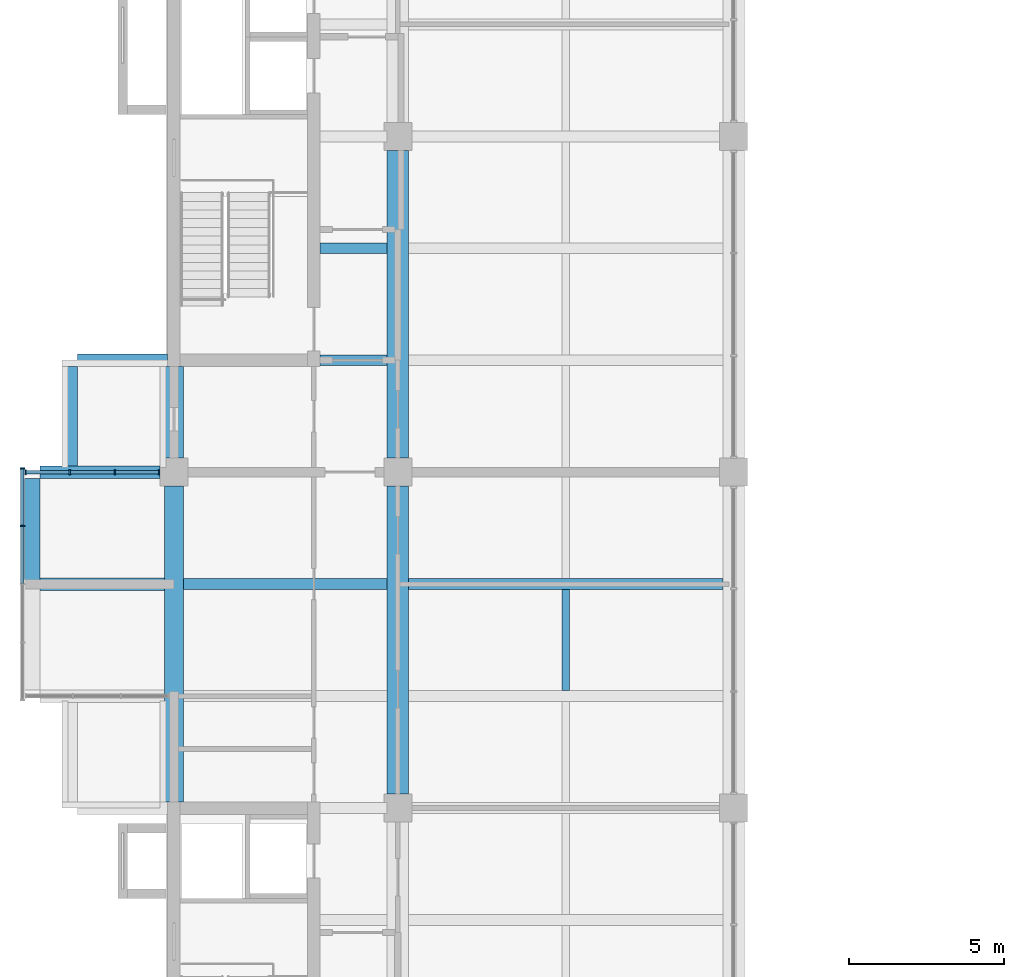
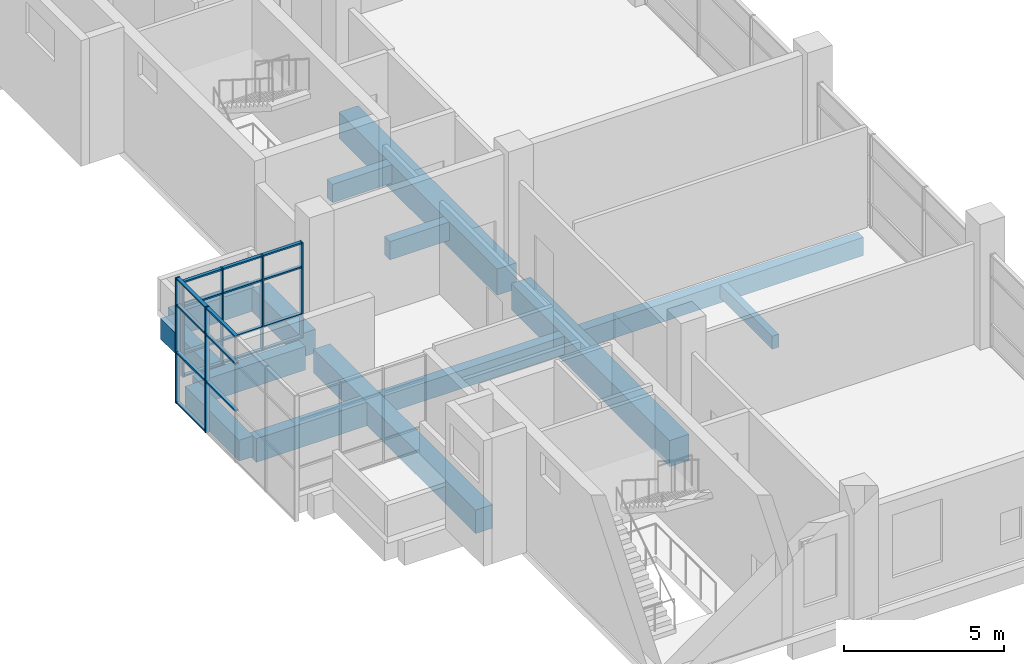
# One storey, part 3 of 22: 25 members, 14 beams, 2 elements without a shape of their own.
"""IFC4 building model written with IfcOpenShell, lengths in metres."""

from ifc_helpers import new_model, si_unit, direction, frame, origin, origin_2d, place, context, subcontext, project, spatial, rectangle, extrude, material, layer, layer_set, material_profile, profile_set, type_object, element, aggregate, save


model = new_model("IFC4")

# Units and contexts
model_context = context("Model", 3, precision=1e-05, world=origin(), true_north=direction((0.0, 1.0)))
body_context = subcontext(model_context, "Body", "Model", "MODEL_VIEW")
ifc_project = project(units=[si_unit("LENGTHUNIT", "METRE"), si_unit("AREAUNIT", "SQUARE_METRE"), si_unit("VOLUMEUNIT", "CUBIC_METRE"), si_unit("PLANEANGLEUNIT", "RADIAN"), si_unit("MASSUNIT", "GRAM", prefix="KILO")], contexts=[model_context])

# Site, building, storey
site_placement = place(None, origin())
site = spatial("IfcSite", under=ifc_project, at=site_placement, CompositionType="ELEMENT")
building_placement = place(site_placement, origin())
building = spatial("IfcBuilding", under=site, at=building_placement, Name="Basin Gate Institute", CompositionType="ELEMENT")
storey_placement = place(building_placement, frame((0.0, 0.0, 51.0)))
storey = spatial("IfcBuildingStorey", under=building, at=storey_placement, Name="L10", CompositionType="ELEMENT", Elevation=51.0)

# Beams
ifc_material_1 = material(Name="Concrete 40 MPa", Category="concrete")
ifc_material_profile_1 = material_profile(ifc_material_1, rectangle(XDim=0.35009765625, YDim=0.699951171875, at=origin_2d()), Name="Beam B1 350 x 700")
ifc_profile_set_1 = profile_set([ifc_material_profile_1], Name="Concrete 40 MPa")
beam_type_1 = type_object("IfcBeamType", Name="Beam B1 R120", PredefinedType="BEAM", material=ifc_profile_set_1)
beam_1_placement = place(storey_placement, frame((68.75, 53.10009765625, -0.60009765625), z_axis=(1.0, 0.0, 0.0), x_axis=(0.0, 1.0, 0.0)))
element("IfcBeam", 1, at=beam_1_placement, inside=storey, type_object=beam_type_1, material=ifc_profile_set_1, Name="BEAM/L10/W/EW/06", PredefinedType="BEAM", context=body_context, shape_type="SweptSolid", body=[
    extrude(rectangle(XDim=0.35009765625, YDim=0.699951171875, at=origin_2d()), origin(), (0.0, 0.0, 1.0), 10.10009765625),
])
beam_2_placement = place(storey_placement, frame((61.5, 53.10009765625, -0.60009765625), z_axis=(1.0, 0.0, 0.0), x_axis=(0.0, 1.0, 0.0)))
element("IfcBeam", 2, at=beam_2_placement, inside=storey, type_object=beam_type_1, material=ifc_profile_set_1, Name="BEAM/L10/W/OUT/06", PredefinedType="BEAM", context=body_context, shape_type="SweptSolid", body=[
    extrude(rectangle(XDim=0.35009765625, YDim=0.699951171875, at=origin_2d()), origin(), (0.0, 0.0, 1.0), 6.550048828125),
])
for number, where, z_axis, x_axis, name in (
    (3, (65.89990234375, 60.300048828125, -0.60009765625), (1.0, 0.0, 0.0), (0.0, 1.0, 0.0), "BEAM/L10/W/CORR/08"),
    (4, (65.89990234375, 63.89990234375, -0.60009765625), (1.0, 0.0, 0.0), (0.0, 1.0, 0.0), "BEAM/L10/W/CORR/09"),
):
    element("IfcBeam", number, at=place(storey_placement, frame(where, z_axis=z_axis, x_axis=x_axis)), inside=storey, type_object=beam_type_1, material=ifc_profile_set_1, Name=name, PredefinedType="BEAM", context=body_context, shape_type="SweptSolid", body=[
        extrude(rectangle(XDim=0.35009765625, YDim=0.699951171875, at=origin_2d()), origin(), (0.0, 0.0, 1.0), 2.150146484375),
    ])
ifc_material_2 = material(Name="Concrete 50 MPa", Category="concrete")
ifc_material_profile_2 = material_profile(ifc_material_2, rectangle(XDim=0.39990234375, YDim=0.89990234375, at=origin_2d()), Name="Cantilever beam B3 400 x 900")
ifc_profile_set_2 = profile_set([ifc_material_profile_2], Name="Concrete 50 MPa")
beam_type_2 = type_object("IfcBeamType", Name="Cantilever beam B3 R120", PredefinedType="BEAM", material=ifc_profile_set_2)
beam_3_placement = place(storey_placement, frame((56.89990234375, 53.10009765625, -0.699951171875), z_axis=(1.0, 0.0, 0.0), x_axis=(0.0, 1.0, 0.0)))
element("IfcBeam", 5, at=beam_3_placement, inside=storey, type_object=beam_type_2, material=ifc_profile_set_2, Name="BEAM/L10/W/CANT/06", PredefinedType="BEAM", context=body_context, shape_type="SweptSolid", body=[
    extrude(rectangle(XDim=0.39990234375, YDim=0.89990234375, at=origin_2d()), origin(), (0.0, 0.0, 1.0), 4.0),
])
beam_4_placement = place(storey_placement, frame((56.89990234375, 56.699951171875, -0.699951171875), z_axis=(1.0, 0.0, 0.0), x_axis=(0.0, 1.0, 0.0)))
element("IfcBeam", 6, at=beam_4_placement, inside=storey, type_object=beam_type_2, material=ifc_profile_set_2, Name="BEAM/L10/W/CANT/07", PredefinedType="BEAM", context=body_context, shape_type="SweptSolid", body=[
    extrude(rectangle(XDim=0.39990234375, YDim=0.89990234375, at=origin_2d()), origin(), (0.0, 0.0, 1.0), 3.85009765625),
])
beam_5_placement = place(storey_placement, frame((58.10009765625, 60.300048828125, -0.699951171875), z_axis=(1.0, 0.0, 0.0), x_axis=(0.0, 1.0, 0.0)))
element("IfcBeam", 7, at=beam_5_placement, inside=storey, type_object=beam_type_2, material=ifc_profile_set_2, Name="BEAM/L10/W/CANT/08", PredefinedType="BEAM", context=body_context, shape_type="SweptSolid", body=[
    extrude(rectangle(XDim=0.39990234375, YDim=0.89990234375, at=origin_2d()), origin(), (0.0, 0.0, 1.0), 2.89990234375),
])
ifc_material_3 = material(Name="Concrete 50 MPa", Category="concrete")
ifc_material_profile_3 = material_profile(ifc_material_3, rectangle(XDim=0.60009765625, YDim=0.89990234375, at=origin_2d()), Name="Edge beam EB1 600 x 900")
ifc_profile_set_3 = profile_set([ifc_material_profile_3], Name="Concrete 50 MPa")
beam_type_3 = type_object("IfcBeamType", Name="Edge beam EB1 R120", PredefinedType="SPANDREL", material=ifc_profile_set_3)
beam_6_placement = place(storey_placement, frame((61.199951171875, 46.10009765625, -0.699951171875), z_axis=(0.0, 1.0, 0.0), x_axis=(-1.0, 0.0, 0.0)))
element("IfcBeam", 8, at=beam_6_placement, inside=storey, type_object=beam_type_3, material=ifc_profile_set_3, Name="BEAM/L10/W/EDGE/1", PredefinedType="SPANDREL", context=body_context, shape_type="SweptSolid", body=[
    extrude(rectangle(XDim=0.60009765625, YDim=0.89990234375, at=origin_2d()), origin(), (0.0, 0.0, 1.0), 10.14990234375),
])
ifc_material_4 = material(Name="Concrete 50 MPa", Category="concrete")
ifc_material_profile_4 = material_profile(ifc_material_4, rectangle(XDim=0.60009765625, YDim=0.89990234375, at=origin_2d()), Name="Edge return beam EB3 600 x 900")
ifc_profile_set_4 = profile_set([ifc_material_profile_4], Name="Concrete 50 MPa")
beam_type_4 = type_object("IfcBeamType", Name="Edge return beam EB3 R120", PredefinedType="SPANDREL", material=ifc_profile_set_4)
beam_7_placement = place(storey_placement, frame((61.199951171875, 57.14990234375, -0.699951171875), z_axis=(0.0, 1.0, 0.0), x_axis=(-1.0, 0.0, 0.0)))
element("IfcBeam", 9, at=beam_7_placement, inside=storey, type_object=beam_type_4, material=ifc_profile_set_4, Name="BEAM/L10/W/EDGE/2", PredefinedType="SPANDREL", context=body_context, shape_type="SweptSolid", body=[
    extrude(rectangle(XDim=0.60009765625, YDim=0.89990234375, at=origin_2d()), origin(), (0.0, 0.0, 1.0), 2.9501953125),
])
ifc_material_5 = material(Name="Concrete 50 MPa", Category="concrete")
ifc_material_profile_5 = material_profile(ifc_material_5, rectangle(XDim=0.699951171875, YDim=1.0, at=origin_2d()), Name="Girder G1 700 x 1000")
ifc_profile_set_5 = profile_set([ifc_material_profile_5], Name="Concrete 50 MPa")
beam_type_5 = type_object("IfcBeamType", Name="Girder G1 R120", PredefinedType="BEAM", material=ifc_profile_set_5)
beam_8_placement = place(storey_placement, frame((68.39990234375, 46.35009765625, -0.75), z_axis=(0.0, 1.0, 0.0), x_axis=(-1.0, 0.0, 0.0)))
element("IfcBeam", 10, at=beam_8_placement, inside=storey, type_object=beam_type_5, material=ifc_profile_set_5, Name="GIR/L10/W5/2", PredefinedType="BEAM", context=body_context, shape_type="SweptSolid", body=[
    extrude(rectangle(XDim=0.699951171875, YDim=1.0, at=origin_2d()), origin(), (0.0, 0.0, 1.0), 9.89990234375),
])
beam_9_placement = place(storey_placement, frame((68.39990234375, 57.14990234375, -0.75), z_axis=(0.0, 1.0, 0.0), x_axis=(-1.0, 0.0, 0.0)))
element("IfcBeam", 11, at=beam_9_placement, inside=storey, type_object=beam_type_5, material=ifc_profile_set_5, Name="GIR/L10/W5/3", PredefinedType="BEAM", context=body_context, shape_type="SweptSolid", body=[
    extrude(rectangle(XDim=0.699951171875, YDim=1.0, at=origin_2d()), origin(), (0.0, 0.0, 1.0), 9.900146484375),
])

# Curtain wall, members
ifc_material_6 = material(Name="Aluminium-framed glazing", Category="aluminium")
ifc_layer = layer(ifc_material_6, 0.14990234375)
ifc_layer_set = layer_set([ifc_layer], Name="Capsule front curtain wall CW1")
curtain_wall_type = type_object("IfcCurtainWallType", Name="Capsule front curtain wall CW1", PredefinedType="NOTDEFINED", material=ifc_layer_set)
curtain_wall_1_placement = place(storey_placement, origin())
curtain_wall_1 = element("IfcCurtainWall", 12, at=curtain_wall_1_placement, inside=storey, type_object=curtain_wall_type, material=ifc_layer_set, Name="Capsule front curtain wall W wing capsule end L10 line 7", PredefinedType="NOTDEFINED")
ifc_material_7 = material(Name="Aluminium", Category="aluminium")
ifc_material_profile_6 = material_profile(ifc_material_7, rectangle(XDim=0.14990234375, YDim=0.050048828125, at=origin_2d()), Name="Mullion MU1 150 x 50")
ifc_profile_set_6 = profile_set([ifc_material_profile_6], Name="Aluminium")
member_type_1 = type_object("IfcMemberType", Name="Mullion MU1", PredefinedType="MULLION", material=ifc_profile_set_6)
member_1_placement = place(storey_placement, frame((56.425048828125, 56.699951171875, 0.0), z_axis=(0.0, 0.0, 1.0), x_axis=(0.0, 1.0, 0.0)))
member_1 = element("IfcMember", 13, at=member_1_placement, type_object=member_type_1, material=ifc_profile_set_6, Name="CW1 mullion 1", PredefinedType="MULLION", context=body_context, shape_type="SweptSolid", body=[
    extrude(rectangle(XDim=0.14990234375, YDim=0.050048828125, at=origin_2d()), origin(), (0.0, 0.0, 1.0), 3.64990234375),
])
member_2_placement = place(storey_placement, frame((57.85009765625, 56.699951171875, 0.0), z_axis=(0.0, 0.0, 1.0), x_axis=(0.0, 1.0, 0.0)))
member_2 = element("IfcMember", 14, at=member_2_placement, type_object=member_type_1, material=ifc_profile_set_6, Name="CW1 mullion 2", PredefinedType="MULLION", context=body_context, shape_type="SweptSolid", body=[
    extrude(rectangle(XDim=0.14990234375, YDim=0.050048828125, at=origin_2d()), origin(), (0.0, 0.0, 1.0), 3.64990234375),
])
member_3_placement = place(storey_placement, frame((59.300048828125, 56.699951171875, 0.0), z_axis=(0.0, 0.0, 1.0), x_axis=(0.0, 1.0, 0.0)))
member_3 = element("IfcMember", 15, at=member_3_placement, type_object=member_type_1, material=ifc_profile_set_6, Name="CW1 mullion 3", PredefinedType="MULLION", context=body_context, shape_type="SweptSolid", body=[
    extrude(rectangle(XDim=0.14990234375, YDim=0.050048828125, at=origin_2d()), origin(), (0.0, 0.0, 1.0), 3.64990234375),
])
member_4_placement = place(storey_placement, frame((60.72509765625, 56.699951171875, 0.0), z_axis=(0.0, 0.0, 1.0), x_axis=(0.0, 1.0, 0.0)))
member_4 = element("IfcMember", 16, at=member_4_placement, type_object=member_type_1, material=ifc_profile_set_6, Name="CW1 mullion 4", PredefinedType="MULLION", context=body_context, shape_type="SweptSolid", body=[
    extrude(rectangle(XDim=0.14990234375, YDim=0.050048828125, at=origin_2d()), origin(), (0.0, 0.0, 1.0), 3.64990234375),
])

curtain_wall_2_placement = place(storey_placement, origin())
curtain_wall_2 = element("IfcCurtainWall", 17, at=curtain_wall_2_placement, inside=storey, type_object=curtain_wall_type, material=ifc_layer_set, Name="Capsule front curtain wall W wing capsule 1 L10 front 2", PredefinedType="NOTDEFINED")
member_5_placement = place(storey_placement, frame((56.324951171875, 54.97509765625, -1.050048828125), z_axis=(0.0, 0.0, 1.0), x_axis=(-1.0, 0.0, 0.0)))
member_5 = element("IfcMember", 18, at=member_5_placement, type_object=member_type_1, material=ifc_profile_set_6, Name="CW1 mullion 4", PredefinedType="MULLION", context=body_context, shape_type="SweptSolid", body=[
    extrude(rectangle(XDim=0.14990234375, YDim=0.050048828125, at=origin_2d()), origin(), (0.0, 0.0, 1.0), 4.800048828125),
])
member_6_placement = place(storey_placement, frame((56.324951171875, 56.824951171875, -1.050048828125), z_axis=(0.0, 0.0, 1.0), x_axis=(-1.0, 0.0, 0.0)))
member_6 = element("IfcMember", 19, at=member_6_placement, type_object=member_type_1, material=ifc_profile_set_6, Name="CW1 mullion 5", PredefinedType="MULLION", context=body_context, shape_type="SweptSolid", body=[
    extrude(rectangle(XDim=0.14990234375, YDim=0.050048828125, at=origin_2d()), origin(), (0.0, 0.0, 1.0), 4.800048828125),
])

# Beams
ifc_material_8 = material(Name="Concrete 40 MPa", Category="concrete")
ifc_material_profile_7 = material_profile(ifc_material_8, rectangle(XDim=0.25, YDim=0.5, at=origin_2d()), Name="Rib R1 250 x 500")
ifc_profile_set_7 = profile_set([ifc_material_profile_7], Name="Concrete 40 MPa")
beam_type_6 = type_object("IfcBeamType", Name="Rib R1 R120", PredefinedType="JOIST", material=ifc_profile_set_7)
beam_10_placement = place(storey_placement, frame((73.800048828125, 49.675048828125, -0.5), z_axis=(0.0, 1.0, 0.0), x_axis=(-1.0, 0.0, 0.0)))
element("IfcBeam", 20, at=beam_10_placement, inside=storey, type_object=beam_type_6, material=ifc_profile_set_7, Name="BEAM/L10/W/RIB/05", PredefinedType="JOIST", context=body_context, shape_type="SweptSolid", body=[
    extrude(rectangle(XDim=0.25, YDim=0.5, at=origin_2d()), origin(), (0.0, 0.0, 1.0), 3.25),
])
ifc_material_9 = material(Name="Concrete 50 MPa", Category="concrete")
ifc_material_profile_8 = material_profile(ifc_material_9, rectangle(XDim=0.5, YDim=0.800048828125, at=origin_2d()), Name="Tip beam TB1 500 x 800")
ifc_profile_set_8 = profile_set([ifc_material_profile_8], Name="Concrete 50 MPa")
beam_type_7 = type_object("IfcBeamType", Name="Tip beam TB1 R120", PredefinedType="SPANDREL", material=ifc_profile_set_8)
beam_11_placement = place(storey_placement, frame((56.64990234375, 53.10009765625, -0.64990234375), z_axis=(0.0, 1.0, 0.0), x_axis=(-1.0, 0.0, 0.0)))
element("IfcBeam", 21, at=beam_11_placement, inside=storey, type_object=beam_type_7, material=ifc_profile_set_8, Name="BEAM/L10/W/TIP/3", PredefinedType="SPANDREL", context=body_context, shape_type="SweptSolid", body=[
    extrude(rectangle(XDim=0.5, YDim=0.800048828125, at=origin_2d()), origin(), (0.0, 0.0, 1.0), 3.39990234375),
])
beam_12_placement = place(storey_placement, frame((57.85009765625, 56.89990234375, -0.64990234375), z_axis=(0.0, 1.0, 0.0), x_axis=(-1.0, 0.0, 0.0)))
element("IfcBeam", 22, at=beam_12_placement, inside=storey, type_object=beam_type_7, material=ifc_profile_set_8, Name="BEAM/L10/W/TIP/4", PredefinedType="SPANDREL", context=body_context, shape_type="SweptSolid", body=[
    extrude(rectangle(XDim=0.5, YDim=0.800048828125, at=origin_2d()), origin(), (0.0, 0.0, 1.0), 3.2001953125),
])

# Member
ifc_material_10 = material(Name="Aluminium", Category="aluminium")
ifc_material_profile_9 = material_profile(ifc_material_10, rectangle(XDim=0.1201171875, YDim=0.06005859375, at=origin_2d()), Name="Transom TR1 120 x 60")
ifc_profile_set_9 = profile_set([ifc_material_profile_9], Name="Aluminium")
member_type_2 = type_object("IfcMemberType", Name="Transom TR1", PredefinedType="USERDEFINED", material=ifc_profile_set_9)
member_7_placement = place(storey_placement, frame((56.449951171875, 56.699951171875, 0.030029296875), z_axis=(1.0, 0.0, 0.0), x_axis=(0.0, 1.0, 0.0)))
member_7 = element("IfcMember", 23, at=member_7_placement, type_object=member_type_2, material=ifc_profile_set_9, Name="CW1 transom 1.1", ObjectType="TRANSOM", PredefinedType="USERDEFINED", context=body_context, shape_type="SweptSolid", body=[
    extrude(rectangle(XDim=0.1201171875, YDim=0.06005859375, at=origin_2d()), origin(), (0.0, 0.0, 1.0), 1.375),
])

member_8_placement = place(storey_placement, frame((56.449951171875, 56.699951171875, 0.89990234375), z_axis=(1.0, 0.0, 0.0), x_axis=(0.0, 1.0, 0.0)))
member_8 = element("IfcMember", 24, at=member_8_placement, type_object=member_type_2, material=ifc_profile_set_9, Name="CW1 transom 1.2", ObjectType="TRANSOM", PredefinedType="USERDEFINED", context=body_context, shape_type="SweptSolid", body=[
    extrude(rectangle(XDim=0.1201171875, YDim=0.06005859375, at=origin_2d()), origin(), (0.0, 0.0, 1.0), 1.375),
])

member_9_placement = place(storey_placement, frame((56.449951171875, 56.699951171875, 2.699951171875), z_axis=(1.0, 0.0, 0.0), x_axis=(0.0, 1.0, 0.0)))
member_9 = element("IfcMember", 25, at=member_9_placement, type_object=member_type_2, material=ifc_profile_set_9, Name="CW1 transom 1.3", ObjectType="TRANSOM", PredefinedType="USERDEFINED", context=body_context, shape_type="SweptSolid", body=[
    extrude(rectangle(XDim=0.1201171875, YDim=0.06005859375, at=origin_2d()), origin(), (0.0, 0.0, 1.0), 1.375),
])

member_10_placement = place(storey_placement, frame((56.449951171875, 56.699951171875, 3.6201171875), z_axis=(1.0, 0.0, 0.0), x_axis=(0.0, 1.0, 0.0)))
member_10 = element("IfcMember", 26, at=member_10_placement, type_object=member_type_2, material=ifc_profile_set_9, Name="CW1 transom 1.4", ObjectType="TRANSOM", PredefinedType="USERDEFINED", context=body_context, shape_type="SweptSolid", body=[
    extrude(rectangle(XDim=0.1201171875, YDim=0.06005859375, at=origin_2d()), origin(), (0.0, 0.0, 1.0), 1.375),
])

member_11_placement = place(storey_placement, frame((57.875, 56.699951171875, 0.030029296875), z_axis=(1.0, 0.0, 0.0), x_axis=(0.0, 1.0, 0.0)))
member_11 = element("IfcMember", 27, at=member_11_placement, type_object=member_type_2, material=ifc_profile_set_9, Name="CW1 transom 2.1", ObjectType="TRANSOM", PredefinedType="USERDEFINED", context=body_context, shape_type="SweptSolid", body=[
    extrude(rectangle(XDim=0.1201171875, YDim=0.06005859375, at=origin_2d()), origin(), (0.0, 0.0, 1.0), 1.39990234375),
])

member_12_placement = place(storey_placement, frame((57.875, 56.699951171875, 0.89990234375), z_axis=(1.0, 0.0, 0.0), x_axis=(0.0, 1.0, 0.0)))
member_12 = element("IfcMember", 28, at=member_12_placement, type_object=member_type_2, material=ifc_profile_set_9, Name="CW1 transom 2.2", ObjectType="TRANSOM", PredefinedType="USERDEFINED", context=body_context, shape_type="SweptSolid", body=[
    extrude(rectangle(XDim=0.1201171875, YDim=0.06005859375, at=origin_2d()), origin(), (0.0, 0.0, 1.0), 1.39990234375),
])

member_13_placement = place(storey_placement, frame((57.875, 56.699951171875, 2.699951171875), z_axis=(1.0, 0.0, 0.0), x_axis=(0.0, 1.0, 0.0)))
member_13 = element("IfcMember", 29, at=member_13_placement, type_object=member_type_2, material=ifc_profile_set_9, Name="CW1 transom 2.3", ObjectType="TRANSOM", PredefinedType="USERDEFINED", context=body_context, shape_type="SweptSolid", body=[
    extrude(rectangle(XDim=0.1201171875, YDim=0.06005859375, at=origin_2d()), origin(), (0.0, 0.0, 1.0), 1.39990234375),
])

member_14_placement = place(storey_placement, frame((57.875, 56.699951171875, 3.6201171875), z_axis=(1.0, 0.0, 0.0), x_axis=(0.0, 1.0, 0.0)))
member_14 = element("IfcMember", 30, at=member_14_placement, type_object=member_type_2, material=ifc_profile_set_9, Name="CW1 transom 2.4", ObjectType="TRANSOM", PredefinedType="USERDEFINED", context=body_context, shape_type="SweptSolid", body=[
    extrude(rectangle(XDim=0.1201171875, YDim=0.06005859375, at=origin_2d()), origin(), (0.0, 0.0, 1.0), 1.39990234375),
])

member_15_placement = place(storey_placement, frame((59.324951171875, 56.699951171875, 0.030029296875), z_axis=(1.0, 0.0, 0.0), x_axis=(0.0, 1.0, 0.0)))
member_15 = element("IfcMember", 31, at=member_15_placement, type_object=member_type_2, material=ifc_profile_set_9, Name="CW1 transom 3.1", ObjectType="TRANSOM", PredefinedType="USERDEFINED", context=body_context, shape_type="SweptSolid", body=[
    extrude(rectangle(XDim=0.1201171875, YDim=0.06005859375, at=origin_2d()), origin(), (0.0, 0.0, 1.0), 1.375),
])

member_16_placement = place(storey_placement, frame((59.324951171875, 56.699951171875, 0.89990234375), z_axis=(1.0, 0.0, 0.0), x_axis=(0.0, 1.0, 0.0)))
member_16 = element("IfcMember", 32, at=member_16_placement, type_object=member_type_2, material=ifc_profile_set_9, Name="CW1 transom 3.2", ObjectType="TRANSOM", PredefinedType="USERDEFINED", context=body_context, shape_type="SweptSolid", body=[
    extrude(rectangle(XDim=0.1201171875, YDim=0.06005859375, at=origin_2d()), origin(), (0.0, 0.0, 1.0), 1.375),
])

member_17_placement = place(storey_placement, frame((59.324951171875, 56.699951171875, 2.699951171875), z_axis=(1.0, 0.0, 0.0), x_axis=(0.0, 1.0, 0.0)))
member_17 = element("IfcMember", 33, at=member_17_placement, type_object=member_type_2, material=ifc_profile_set_9, Name="CW1 transom 3.3", ObjectType="TRANSOM", PredefinedType="USERDEFINED", context=body_context, shape_type="SweptSolid", body=[
    extrude(rectangle(XDim=0.1201171875, YDim=0.06005859375, at=origin_2d()), origin(), (0.0, 0.0, 1.0), 1.375),
])

member_18_placement = place(storey_placement, frame((59.324951171875, 56.699951171875, 3.6201171875), z_axis=(1.0, 0.0, 0.0), x_axis=(0.0, 1.0, 0.0)))
member_18 = element("IfcMember", 34, at=member_18_placement, type_object=member_type_2, material=ifc_profile_set_9, Name="CW1 transom 3.4", ObjectType="TRANSOM", PredefinedType="USERDEFINED", context=body_context, shape_type="SweptSolid", body=[
    extrude(rectangle(XDim=0.1201171875, YDim=0.06005859375, at=origin_2d()), origin(), (0.0, 0.0, 1.0), 1.375),
])

aggregate(curtain_wall_1, [member_1, member_2, member_3, member_4, member_7, member_8, member_9, member_10, member_11, member_12, member_13, member_14, member_15, member_16, member_17, member_18])

member_19_placement = place(storey_placement, frame((56.324951171875, 53.125, 0.89990234375), z_axis=(0.0, 1.0, 0.0), x_axis=(-1.0, 0.0, 0.0)))
member_19 = element("IfcMember", 35, at=member_19_placement, type_object=member_type_2, material=ifc_profile_set_9, Name="CW1 transom 3.2", ObjectType="TRANSOM", PredefinedType="USERDEFINED", context=body_context, shape_type="SweptSolid", body=[
    extrude(rectangle(XDim=0.1201171875, YDim=0.06005859375, at=origin_2d()), origin(), (0.0, 0.0, 1.0), 1.824951171875),
])

member_20_placement = place(storey_placement, frame((56.324951171875, 53.125, 2.699951171875), z_axis=(0.0, 1.0, 0.0), x_axis=(-1.0, 0.0, 0.0)))
member_20 = element("IfcMember", 36, at=member_20_placement, type_object=member_type_2, material=ifc_profile_set_9, Name="CW1 transom 3.3", ObjectType="TRANSOM", PredefinedType="USERDEFINED", context=body_context, shape_type="SweptSolid", body=[
    extrude(rectangle(XDim=0.1201171875, YDim=0.06005859375, at=origin_2d()), origin(), (0.0, 0.0, 1.0), 1.824951171875),
])

member_21_placement = place(storey_placement, frame((56.324951171875, 53.125, 3.719970703125), z_axis=(0.0, 1.0, 0.0), x_axis=(-1.0, 0.0, 0.0)))
member_21 = element("IfcMember", 37, at=member_21_placement, type_object=member_type_2, material=ifc_profile_set_9, Name="CW1 transom 3.4", ObjectType="TRANSOM", PredefinedType="USERDEFINED", context=body_context, shape_type="SweptSolid", body=[
    extrude(rectangle(XDim=0.1201171875, YDim=0.06005859375, at=origin_2d()), origin(), (0.0, 0.0, 1.0), 1.824951171875),
])

member_22_placement = place(storey_placement, frame((56.324951171875, 55.0, -1.02001953125), z_axis=(0.0, 1.0, 0.0), x_axis=(-1.0, 0.0, 0.0)))
member_22 = element("IfcMember", 38, at=member_22_placement, type_object=member_type_2, material=ifc_profile_set_9, Name="CW1 transom 4.1", ObjectType="TRANSOM", PredefinedType="USERDEFINED", context=body_context, shape_type="SweptSolid", body=[
    extrude(rectangle(XDim=0.1201171875, YDim=0.06005859375, at=origin_2d()), origin(), (0.0, 0.0, 1.0), 1.800048828125),
])

member_23_placement = place(storey_placement, frame((56.324951171875, 55.0, 0.89990234375), z_axis=(0.0, 1.0, 0.0), x_axis=(-1.0, 0.0, 0.0)))
member_23 = element("IfcMember", 39, at=member_23_placement, type_object=member_type_2, material=ifc_profile_set_9, Name="CW1 transom 4.2", ObjectType="TRANSOM", PredefinedType="USERDEFINED", context=body_context, shape_type="SweptSolid", body=[
    extrude(rectangle(XDim=0.1201171875, YDim=0.06005859375, at=origin_2d()), origin(), (0.0, 0.0, 1.0), 1.800048828125),
])

member_24_placement = place(storey_placement, frame((56.324951171875, 55.0, 2.699951171875), z_axis=(0.0, 1.0, 0.0), x_axis=(-1.0, 0.0, 0.0)))
member_24 = element("IfcMember", 40, at=member_24_placement, type_object=member_type_2, material=ifc_profile_set_9, Name="CW1 transom 4.3", ObjectType="TRANSOM", PredefinedType="USERDEFINED", context=body_context, shape_type="SweptSolid", body=[
    extrude(rectangle(XDim=0.1201171875, YDim=0.06005859375, at=origin_2d()), origin(), (0.0, 0.0, 1.0), 1.800048828125),
])

member_25_placement = place(storey_placement, frame((56.324951171875, 55.0, 3.719970703125), z_axis=(0.0, 1.0, 0.0), x_axis=(-1.0, 0.0, 0.0)))
member_25 = element("IfcMember", 41, at=member_25_placement, type_object=member_type_2, material=ifc_profile_set_9, Name="CW1 transom 4.4", ObjectType="TRANSOM", PredefinedType="USERDEFINED", context=body_context, shape_type="SweptSolid", body=[
    extrude(rectangle(XDim=0.1201171875, YDim=0.06005859375, at=origin_2d()), origin(), (0.0, 0.0, 1.0), 1.800048828125),
])

aggregate(curtain_wall_2, [member_5, member_6, member_19, member_20, member_21, member_22, member_23, member_24, member_25])

save(model, "model.ifc")
